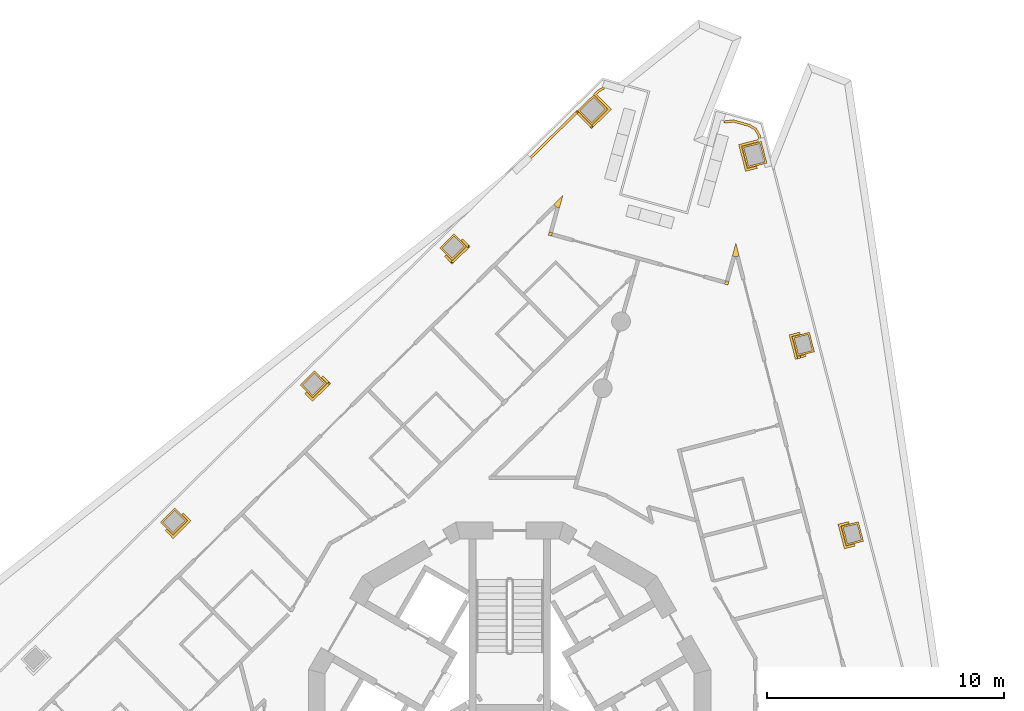
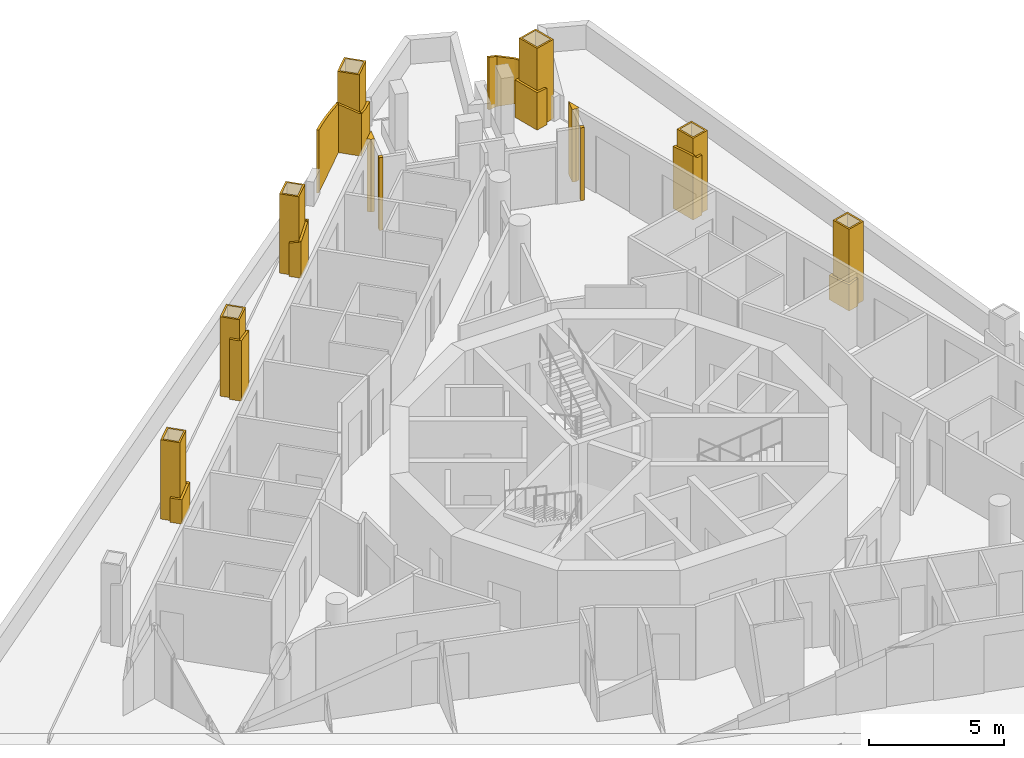
# One storey, part 13 of 14: 11 coverings, 7 railings.
"""IFC4 building model written with IfcOpenShell, lengths in metres."""

from ifc_helpers import new_model, si_unit, direction, frame, origin, place, context, subcontext, project, spatial, polyline, outline, extrude, material, layer, layer_set, type_object, element, save


model = new_model("IFC4")

# Units and contexts
model_context = context("Model", 3, precision=1e-05, world=origin(), true_north=direction((0.0, 1.0)))
body_context = subcontext(model_context, "Body", "Model", "MODEL_VIEW")
ifc_project = project(units=[si_unit("LENGTHUNIT", "METRE"), si_unit("AREAUNIT", "SQUARE_METRE"), si_unit("VOLUMEUNIT", "CUBIC_METRE"), si_unit("PLANEANGLEUNIT", "RADIAN"), si_unit("MASSUNIT", "GRAM", prefix="KILO")], contexts=[model_context])

# Site, building, storey
site_placement = place(None, origin())
site = spatial("IfcSite", under=ifc_project, at=site_placement, CompositionType="ELEMENT")
building_placement = place(site_placement, origin())
building = spatial("IfcBuilding", under=site, at=building_placement, Name="Trine Commons Tower", CompositionType="ELEMENT")
storey_placement = place(building_placement, frame((0.0, 0.0, 234.89990234375)))
storey = spatial("IfcBuildingStorey", under=building, at=storey_placement, Name="L61", CompositionType="ELEMENT", Elevation=234.89990234375)

# Coverings
ifc_material_1 = material(Name="Aluminium-framed insulated wall panel", Category="aluminium")
ifc_layer_1 = layer(ifc_material_1, 0.14990234375)
ifc_layer_set_1 = layer_set([ifc_layer_1], Name="Aluminium-framed insulated wall panel")
covering_type_1 = type_object("IfcCoveringType", Name="Glazing corner post, aluminium", PredefinedType="CLADDING", material=ifc_layer_set_1)
covering_1_placement = place(storey_placement, origin())
element("IfcCovering", 1, at=covering_1_placement, inside=storey, type_object=covering_type_1, Name="Glazing corner post 7-02", PredefinedType="CLADDING", context=body_context, shape_type="SweptSolid", body=[
    extrude(outline(polyline([(82.107177734375, 84.280029296875), (82.256591796875, 84.819580078125), (81.857421875, 84.42724609375), (81.962646484375, 84.3203125), (82.107177734375, 84.280029296875)])), origin(), (0.0, 0.0, 1.0), 3.300048828125),
])
covering_2_placement = place(storey_placement, origin())
element("IfcCovering", 2, at=covering_2_placement, inside=storey, type_object=covering_type_1, Name="Glazing corner post 7-03", PredefinedType="CLADDING", context=body_context, shape_type="SweptSolid", body=[
    extrude(outline(polyline([(81.77685546875, 83.08935546875), (81.81689453125, 83.23388671875), (81.67236328125, 83.27392578125), (81.63232421875, 83.12939453125), (81.77685546875, 83.08935546875)])), origin(), (0.0, 0.0, 1.0), 3.300048828125),
])
covering_3_placement = place(storey_placement, origin())
element("IfcCovering", 3, at=covering_3_placement, inside=storey, type_object=covering_type_1, Name="Glazing corner post 7-04", PredefinedType="CLADDING", context=body_context, shape_type="SweptSolid", body=[
    extrude(outline(polyline([(89.081298828125, 81.063720703125), (89.225830078125, 81.023681640625), (89.265869140625, 81.168212890625), (89.121337890625, 81.208251953125), (89.081298828125, 81.063720703125)])), origin(), (0.0, 0.0, 1.0), 3.300048828125),
])
covering_4_placement = place(storey_placement, origin())
element("IfcCovering", 4, at=covering_4_placement, inside=storey, type_object=covering_type_1, Name="Glazing corner post 7-05", PredefinedType="CLADDING", context=body_context, shape_type="SweptSolid", body=[
    extrude(outline(polyline([(89.411376953125, 82.25439453125), (89.555908203125, 82.21435546875), (89.701171875, 82.251953125), (89.56103515625, 82.7939453125), (89.411376953125, 82.25439453125)])), origin(), (0.0, 0.0, 1.0), 3.300048828125),
])
ifc_material_2 = material(Name="Limestone, honed", Category="masonry")
ifc_layer_2 = layer(ifc_material_2, 0.074951171875)
ifc_layer_set_2 = layer_set([ifc_layer_2], Name="Limestone, honed")
covering_type_2 = type_object("IfcCoveringType", Name="Limestone column cladding 75", PredefinedType="CLADDING", material=ifc_layer_set_2)
covering_5_placement = place(storey_placement, origin())
element("IfcCovering", 5, at=covering_5_placement, inside=storey, type_object=covering_type_2, Name="Limestone pier cladding 7-09", PredefinedType="CLADDING", context=body_context, shape_type="SweptSolid", body=[
    extrude(outline(polyline([(66.38330078125, 71.064208984375), (65.857421875, 71.599365234375), (65.251220703125, 71.00341796875), (65.77685546875, 70.468505859375), (66.38330078125, 71.064208984375)]), holes=[polyline([(66.277099609375, 71.065185546875), (65.856689453125, 71.4931640625), (65.357421875, 71.002685546875), (65.77783203125, 70.57470703125), (66.277099609375, 71.065185546875)])]), origin(), (0.0, 0.0, 1.0), 3.60009765625),
])
covering_6_placement = place(storey_placement, origin())
element("IfcCovering", 6, at=covering_6_placement, inside=storey, type_object=covering_type_2, Name="Limestone pier cladding 7-10", PredefinedType="CLADDING", context=body_context, shape_type="SweptSolid", body=[
    extrude(outline(polyline([(72.281005859375, 76.860107421875), (71.755126953125, 77.39501953125), (71.14892578125, 76.79931640625), (71.674560546875, 76.26416015625), (72.281005859375, 76.860107421875)]), holes=[polyline([(72.1748046875, 76.86083984375), (71.75439453125, 77.288818359375), (71.2548828125, 76.79833984375), (71.675537109375, 76.370361328125), (72.1748046875, 76.86083984375)])]), origin(), (0.0, 0.0, 1.0), 3.60009765625),
])
covering_7_placement = place(storey_placement, origin())
element("IfcCovering", 7, at=covering_7_placement, inside=storey, type_object=covering_type_2, Name="Limestone pier cladding 7-11", PredefinedType="CLADDING", context=body_context, shape_type="SweptSolid", body=[
    extrude(outline(polyline([(78.178466796875, 82.655517578125), (77.65283203125, 83.190673828125), (77.04638671875, 82.5947265625), (77.572265625, 82.059814453125), (78.178466796875, 82.655517578125)]), holes=[polyline([(78.072509765625, 82.656494140625), (77.65185546875, 83.08447265625), (77.152587890625, 82.593994140625), (77.572998046875, 82.166015625), (78.072509765625, 82.656494140625)])]), origin(), (0.0, 0.0, 1.0), 3.60009765625),
])
covering_8_placement = place(storey_placement, origin())
element("IfcCovering", 8, at=covering_8_placement, inside=storey, type_object=covering_type_2, Name="Limestone pier cladding 7-12", PredefinedType="CLADDING", context=body_context, shape_type="SweptSolid", body=[
    extrude(outline(polyline([(84.14697265625, 88.45068359375), (83.551025390625, 89.056884765625), (82.87353515625, 88.39111328125), (83.46923828125, 87.78466796875), (84.14697265625, 88.45068359375)]), holes=[polyline([(84.040771484375, 88.451416015625), (83.55029296875, 88.95068359375), (82.9794921875, 88.39013671875), (83.47021484375, 87.890869140625), (84.040771484375, 88.451416015625)])]), origin(), (0.0, 0.0, 1.0), 3.60009765625),
])
covering_9_placement = place(storey_placement, origin())
element("IfcCovering", 9, at=covering_9_placement, inside=storey, type_object=covering_type_2, Name="Limestone pier cladding 7-13", PredefinedType="CLADDING", context=body_context, shape_type="SweptSolid", body=[
    extrude(outline(polyline([(90.6337890625, 87.0927734375), (89.81103515625, 86.8798828125), (90.048828125, 85.960205078125), (90.871826171875, 86.1728515625), (90.6337890625, 87.0927734375)]), holes=[polyline([(90.580078125, 87.001220703125), (89.90234375, 86.825927734375), (90.102783203125, 86.051513671875), (90.780517578125, 86.226806640625), (90.580078125, 87.001220703125)])]), origin(), (0.0, 0.0, 1.0), 3.60009765625),
])
covering_10_placement = place(storey_placement, origin())
element("IfcCovering", 10, at=covering_10_placement, inside=storey, type_object=covering_type_2, Name="Limestone pier cladding 7-14", PredefinedType="CLADDING", context=body_context, shape_type="SweptSolid", body=[
    extrude(outline(polyline([(92.668212890625, 79.0263671875), (91.942138671875, 78.838623046875), (92.155029296875, 78.015625), (92.881103515625, 78.203369140625), (92.668212890625, 79.0263671875)]), holes=[polyline([(92.614501953125, 78.93505859375), (92.03369140625, 78.78466796875), (92.208984375, 78.10693359375), (92.789794921875, 78.25732421875), (92.614501953125, 78.93505859375)])]), origin(), (0.0, 0.0, 1.0), 3.60009765625),
])
covering_11_placement = place(storey_placement, origin())
element("IfcCovering", 11, at=covering_11_placement, inside=storey, type_object=covering_type_2, Name="Limestone pier cladding 7-15", PredefinedType="CLADDING", context=body_context, shape_type="SweptSolid", body=[
    extrude(outline(polyline([(94.738525390625, 71.02099609375), (94.012451171875, 70.833251953125), (94.225341796875, 70.01025390625), (94.951416015625, 70.197998046875), (94.738525390625, 71.02099609375)]), holes=[polyline([(94.684814453125, 70.9296875), (94.10400390625, 70.779296875), (94.279296875, 70.101806640625), (94.860107421875, 70.251953125), (94.684814453125, 70.9296875)])]), origin(), (0.0, 0.0, 1.0), 3.60009765625),
])

# Railings
ifc_material_3 = material(Name="White powder-coated aluminium", Category="aluminium")
ifc_layer_3 = layer(ifc_material_3, 0.10009765625)
ifc_layer_set_3 = layer_set([ifc_layer_3], Name="White powder-coated aluminium")
railing_type = type_object("IfcRailingType", Name="White balustrade band 100", PredefinedType="GUARDRAIL", material=ifc_layer_set_3)
railing_1_placement = place(storey_placement, origin())
element("IfcRailing", 12, at=railing_1_placement, inside=storey, type_object=railing_type, Name="Guard band L61 8", PredefinedType="GUARDRAIL", context=body_context, shape_type="SweptSolid", body=[
    extrude(outline(polyline([(0.0, 0.0), (0.466064453125, 0.0), (0.466064453125, 1.106201171875), (0.14892578125, 1.10009765625), (0.0, 1.1015625), (0.0, 0.0)])), frame((65.52099609375, 70.71484375, 0.0), z_axis=(-0.713363993073, -0.700793702446, 0.0), x_axis=(0.700793702446, -0.713363993073, 0.0)), (0.0, 0.0, 1.0), 0.10009765625),
    extrude(outline(polyline([(0.0, 0.0), (1.072021484375, 0.0), (1.072021484375, 1.19970703125), (0.535888671875, 1.13427734375), (0.0, 1.102783203125), (0.0, 0.0)])), frame((65.704833984375, 70.3837890625, 0.0), z_axis=(0.700931526822, -0.713228571152, 0.0), x_axis=(0.713228571152, 0.700931526822, 0.0)), (0.0, 0.0, 1.0), 0.10009765625),
    extrude(outline(polyline([(0.0, 0.0), (0.466064453125, 0.0), (0.4658203125, 1.26171875), (0.0, 1.184814453125), (0.0, 0.0)])), frame((66.468017578125, 70.9921875, 0.0), z_axis=(0.713106623097, 0.701055592728, 0.0), x_axis=(-0.701055592728, 0.713106623097, 0.0)), (0.0, 0.0, 1.0), 0.10009765625),
])
railing_2_placement = place(storey_placement, origin())
element("IfcRailing", 13, at=railing_2_placement, inside=storey, type_object=railing_type, Name="Guard band L61 9", PredefinedType="GUARDRAIL", context=body_context, shape_type="SweptSolid", body=[
    extrude(outline(polyline([(0.0, 0.0), (0.465576171875, 0.0), (0.4658203125, 2.721923828125), (0.0, 2.72998046875), (0.0, 0.0)])), frame((71.418701171875, 76.510498046875, 0.0), z_axis=(-0.713111052992, -0.701051086655, 0.0), x_axis=(0.701051086655, -0.713111052992, 0.0)), (0.0, 0.0, 1.0), 0.10009765625),
    extrude(outline(polyline([(0.0, 0.0), (1.0712890625, 0.0), (1.0712890625, 2.488037109375), (0.53564453125, 2.626953125), (0.0, 2.741455078125), (0.0, 0.0)])), frame((71.602783203125, 76.1796875, 0.0), z_axis=(0.700927529699, -0.713232499336, 0.0), x_axis=(0.713232499336, 0.700927529699, 0.0)), (0.0, 0.0, 1.0), 0.10009765625),
    extrude(outline(polyline([(0.0, 0.0), (0.46533203125, 0.0), (0.465576171875, 2.382568359375), (0.0, 2.51611328125), (0.0, 0.0)])), frame((72.365478515625, 76.7880859375, 0.0), z_axis=(0.713373234531, 0.700784295098, 0.0), x_axis=(-0.700784295098, 0.713373234531, 0.0)), (0.0, 0.0, 1.0), 0.10009765625),
])
railing_3_placement = place(storey_placement, origin())
element("IfcRailing", 14, at=railing_3_placement, inside=storey, type_object=railing_type, Name="Guard band L61 10", PredefinedType="GUARDRAIL", context=body_context, shape_type="SweptSolid", body=[
    extrude(outline(polyline([(0.0, 0.0), (0.46630859375, 0.0), (0.466064453125, 1.643310546875), (0.0, 1.50732421875), (0.0, 0.0)])), frame((77.316162109375, 82.30615234375, 0.0), z_axis=(-0.713102199732, -0.701060092101, 0.0), x_axis=(0.701060092101, -0.713102199732, 0.0)), (0.0, 0.0, 1.0), 0.10009765625),
    extrude(outline(polyline([(0.0, 0.0), (1.071533203125, 0.0), (1.07177734375, 1.955078125), (0.535888671875, 1.779541015625), (0.0, 1.612548828125), (0.0, 0.0)])), frame((77.50048828125, 81.975341796875, 0.0), z_axis=(0.70104341944, -0.71311859046, 0.0), x_axis=(0.71311859046, 0.70104341944, 0.0)), (0.0, 0.0, 1.0), 0.10009765625),
    extrude(outline(polyline([(0.0, 0.0), (0.46533203125, 0.0), (0.46533203125, 2.07568359375), (0.0, 1.92138671875), (0.0, 0.0)])), frame((78.262939453125, 82.583740234375, 0.0), z_axis=(0.713373234531, 0.700784295098, 0.0), x_axis=(-0.700784295098, 0.713373234531, 0.0)), (0.0, 0.0, 1.0), 0.10009765625),
])
railing_4_placement = place(storey_placement, origin())
element("IfcRailing", 15, at=railing_4_placement, inside=storey, type_object=railing_type, Name="Guard band L61 11", PredefinedType="GUARDRAIL", context=body_context, shape_type="SweptSolid", body=[
    extrude(outline(polyline([(0.0, 0.0), (2.82275390625, 0.0), (2.822509765625, 2.1884765625), (2.08740234375, 2.417236328125), (1.3525390625, 2.615478515625), (0.617431640625, 2.768798828125), (0.0, 2.8505859375), (0.0, 0.0)])), frame((80.8359375, 86.423828125, 0.0), z_axis=(0.700895874151, -0.71326360737, 0.0), x_axis=(0.71326360737, 0.700895874151, 0.0)), (0.0, 0.0, 1.0), 0.10009765625),
    extrude(outline(polyline([(0.0, 0.0), (0.98681640625, 0.0), (0.98681640625, 1.896484375), (0.493408203125, 2.059814453125), (0.0, 2.221435546875), (0.0, 0.0)])), frame((82.84814453125, 88.40234375, 0.0), z_axis=(-0.713019556973, -0.701144144505, 0.0), x_axis=(0.701144144505, -0.713019556973, 0.0)), (0.0, 0.0, 1.0), 0.10009765625),
    extrude(outline(polyline([(0.0, 0.0), (1.171630859375, 0.0), (1.171875, 1.7001953125), (0.5859375, 1.739501953125), (0.0, 1.93017578125), (0.0, 0.0)])), frame((83.397216796875, 87.699951171875, 0.0), z_axis=(0.700933354289, -0.713226775188, 0.0), x_axis=(0.713226775188, 0.700933354289, 0.0)), (0.0, 0.0, 1.0), 0.10009765625),
    extrude(outline(polyline([(0.0, 0.0), (0.986572265625, 0.0), (0.986572265625, 1.699951171875), (0.493408203125, 1.7001953125), (0.0, 1.7001953125), (0.0, 0.0)])), frame((84.2314453125, 88.37890625, 0.0), z_axis=(0.713266967938, 0.700892454268, 0.0), x_axis=(-0.700892454268, 0.713266967938, 0.0)), (0.0, 0.0, 1.0), 0.10009765625),
    extrude(outline(polyline([(0.0, 0.0), (0.261474609375, 0.0), (0.261474609375, 1.7001953125), (0.0, 1.7001953125), (0.0, 0.0)])), frame((83.540283203125, 89.081298828125, 0.0), z_axis=(0.701013390518, -0.713148109662, 0.0), x_axis=(0.713148109662, 0.701013390518, 0.0)), (0.0, 0.0, 1.0), 0.10009765625),
    extrude(outline(polyline([(0.0, 0.0), (0.266845703125, 0.0), (0.266845703125, 1.7001953125), (0.0, 1.7001953125), (0.0, 0.0)])), frame((83.725341796875, 89.263427734375, 0.0), z_axis=(0.492388955815, -0.870375273196, 0.0), x_axis=(0.870375273196, 0.492388955815, 0.0)), (0.0, 0.0, 1.0), 0.10009765625),
])
railing_5_placement = place(storey_placement, origin())
element("IfcRailing", 16, at=railing_5_placement, inside=storey, type_object=railing_type, Name="Guard band L61 12", PredefinedType="GUARDRAIL", context=body_context, shape_type="SweptSolid", body=[
    extrude(outline(polyline([(0.0, 0.0), (0.397216796875, 0.0), (0.397216796875, 2.265380859375), (0.397216796875, 2.265380859375), (0.0, 2.38720703125), (0.0, 0.0)])), frame((89.057373046875, 87.959228515625, 0.0), z_axis=(0.121689478335, -0.992568219752, 0.0), x_axis=(0.992568219752, 0.121689478335, 0.0)), (0.0, 0.0, 1.0), 0.10009765625),
    extrude(outline(polyline([(0.0, 0.0), (0.720703125, 0.0), (0.720703125, 2.037353515625), (0.0, 2.272216796875), (0.0, 0.0)])), frame((89.449951171875, 88.0078125, 0.0), z_axis=(-0.266927484777, -0.963716616994, 0.0), x_axis=(0.963716616994, -0.266927484777, 0.0)), (0.0, 0.0, 1.0), 0.10009765625),
    extrude(outline(polyline([(0.0, 0.0), (0.331787109375, 0.0), (0.33203125, 1.932373046875), (0.0, 2.04248046875), (0.0, 0.0)])), frame((90.142578125, 87.81591796875, 0.0), z_axis=(-0.507663051798, -0.86155570095, 0.0), x_axis=(0.86155570095, -0.507663051798, 0.0)), (0.0, 0.0, 1.0), 0.10009765625),
    extrude(outline(polyline([(0.0, 0.0), (0.33203125, 0.0), (0.33203125, 1.83251953125), (0.0, 1.94189453125), (0.0, 0.0)])), frame((90.42724609375, 87.6484375, 0.0), z_axis=(-0.870316303932, -0.492493178745, 0.0), x_axis=(0.492493178745, -0.870316303932, 0.0)), (0.0, 0.0, 1.0), 0.10009765625),
    extrude(outline(polyline([(0.0, 0.0), (0.261474609375, 0.0), (0.261474609375, 1.7529296875), (0.0, 1.83740234375), (0.0, 0.0)])), frame((90.59033203125, 87.36083984375, 0.0), z_axis=(-0.9681898206, -0.250216848525, 0.0), x_axis=(0.250216848525, -0.9681898206, 0.0)), (0.0, 0.0, 1.0), 0.10009765625),
    extrude(outline(polyline([(0.0, 0.0), (0.986328125, 0.0), (0.986328125, 1.7001953125), (0.4931640625, 1.7001953125), (0.0, 1.785400390625), (0.0, 0.0)])), frame((90.65576171875, 87.108642578125, 0.0), z_axis=(-0.250274805359, 0.968174840513, 0.0), x_axis=(-0.968174840513, -0.250274805359, 0.0)), (0.0, 0.0, 1.0), 0.10009765625),
    extrude(outline(polyline([(0.0, 0.0), (1.171630859375, 0.0), (1.171630859375, 1.7001953125), (0.585693359375, 1.7001953125), (0.0, 1.7001953125), (0.0, 0.0)])), frame((89.7734375, 86.984130859375, 0.0), z_axis=(-0.968124264179, -0.250470375709, 0.0), x_axis=(0.250470375709, -0.968124264179, 0.0)), (0.0, 0.0, 1.0), 0.10009765625),
    extrude(outline(polyline([(0.0, 0.0), (0.515380859375, 0.0), (0.515625, 1.647705078125), (0.493408203125, 1.657470703125), (0.0, 1.7001953125), (0.0, 0.0)])), frame((89.9443359375, 85.922607421875, 0.0), z_axis=(0.25055120886, -0.968103347654, 0.0), x_axis=(0.968103347654, 0.25055120886, 0.0)), (0.0, 0.0, 1.0), 0.10009765625),
])
railing_6_placement = place(storey_placement, origin())
element("IfcRailing", 17, at=railing_6_placement, inside=storey, type_object=railing_type, Name="Guard band L61 13", PredefinedType="GUARDRAIL", context=body_context, shape_type="SweptSolid", body=[
    extrude(outline(polyline([(0.0, 0.0), (0.4658203125, 0.0), (0.4658203125, 2.826904296875), (0.4658203125, 2.826904296875), (0.0, 2.730712890625), (0.0, 0.0)])), frame((92.283447265625, 78.937255859375, 0.0), z_axis=(-0.250543758446, 0.968105275837, 0.0), x_axis=(-0.968105275837, -0.250543758446, 0.0)), (0.0, 0.0, 1.0), 0.10009765625),
    extrude(outline(polyline([(0.0, 0.0), (1.0712890625, 0.0), (1.0712890625, 2.89892578125), (0.53564453125, 2.873046875), (0.0, 2.81298828125), (0.0, 0.0)])), frame((91.90478515625, 78.94287109375, 0.0), z_axis=(-0.968125953213, -0.250463847124, 0.0), x_axis=(0.250463847124, -0.968125953213, 0.0)), (0.0, 0.0, 1.0), 0.10009765625),
    extrude(outline(polyline([(0.0, 0.0), (0.465576171875, 0.0), (0.465576171875, 2.72998046875), (0.233154296875, 2.72998046875), (0.0, 2.896728515625), (0.0, 0.0)])), frame((92.050537109375, 77.97802734375, 0.0), z_axis=(0.250670954873, -0.968072348734, 0.0), x_axis=(0.968072348734, 0.250670954873, 0.0)), (0.0, 0.0, 1.0), 0.10009765625),
])
railing_7_placement = place(storey_placement, origin())
element("IfcRailing", 18, at=railing_7_placement, inside=storey, type_object=railing_type, Name="Guard band L61 14", PredefinedType="GUARDRAIL", context=body_context, shape_type="SweptSolid", body=[
    extrude(outline(polyline([(0.0, 0.0), (0.46630859375, 0.0), (0.466064453125, 1.106201171875), (0.466064453125, 1.106201171875), (0.14892578125, 1.10009765625), (0.0, 1.1015625), (0.0, 0.0)])), frame((94.353759765625, 70.931884765625, 0.0), z_axis=(-0.250289739526, 0.968170979883, 0.0), x_axis=(-0.968170979883, -0.250289739526, 0.0)), (0.0, 0.0, 1.0), 0.10009765625),
    extrude(outline(polyline([(0.0, 0.0), (1.072021484375, 0.0), (1.072265625, 1.19970703125), (0.5361328125, 1.13427734375), (0.0, 1.102783203125), (0.0, 0.0)])), frame((93.974853515625, 70.93798828125, 0.0), z_axis=(-0.968113589481, -0.250511632188, 0.0), x_axis=(0.250511632188, -0.968113589481, 0.0)), (0.0, 0.0, 1.0), 0.10009765625),
    extrude(outline(polyline([(0.0, 0.0), (0.46533203125, 0.0), (0.46533203125, 1.26171875), (0.0, 1.184814453125), (0.0, 0.0)])), frame((94.12109375, 69.972900390625, 0.0), z_axis=(0.250306499006, -0.968166647099, 0.0), x_axis=(0.968166647099, 0.250306499006, 0.0)), (0.0, 0.0, 1.0), 0.10009765625),
])

save(model, "model.ifc")
